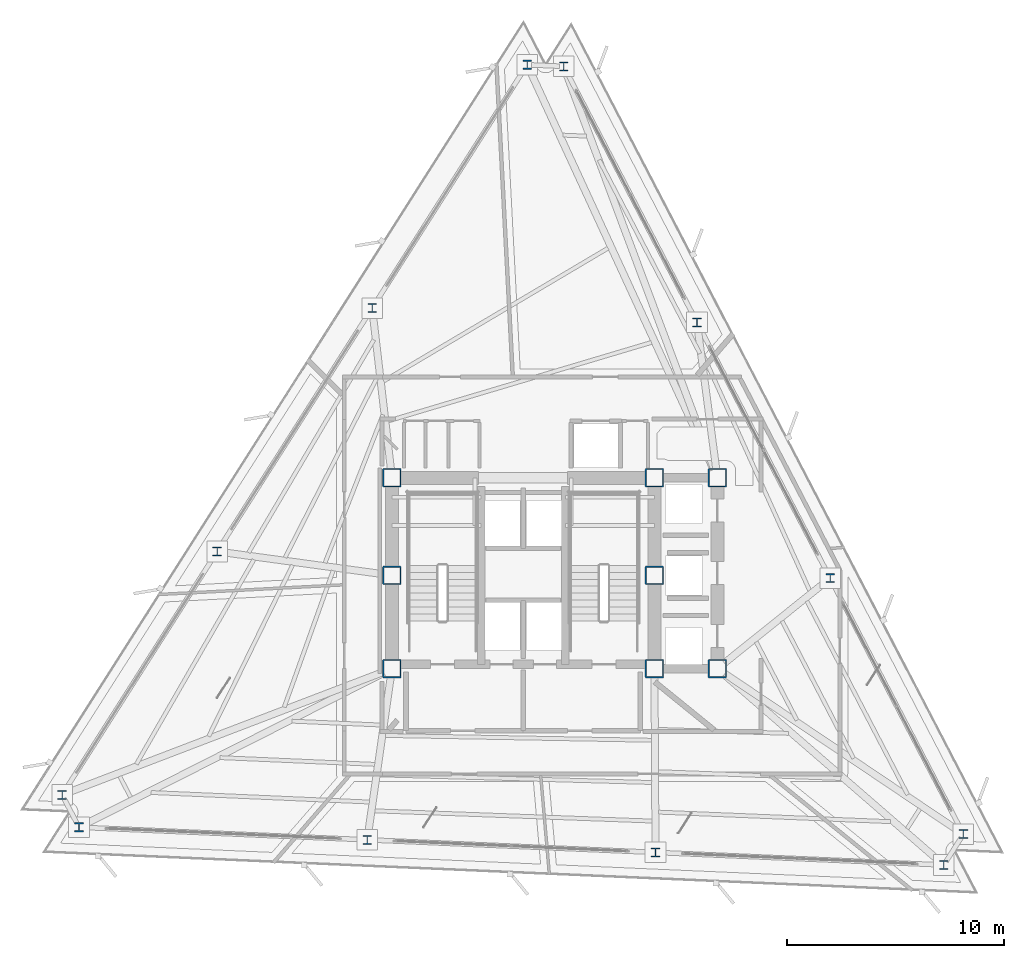
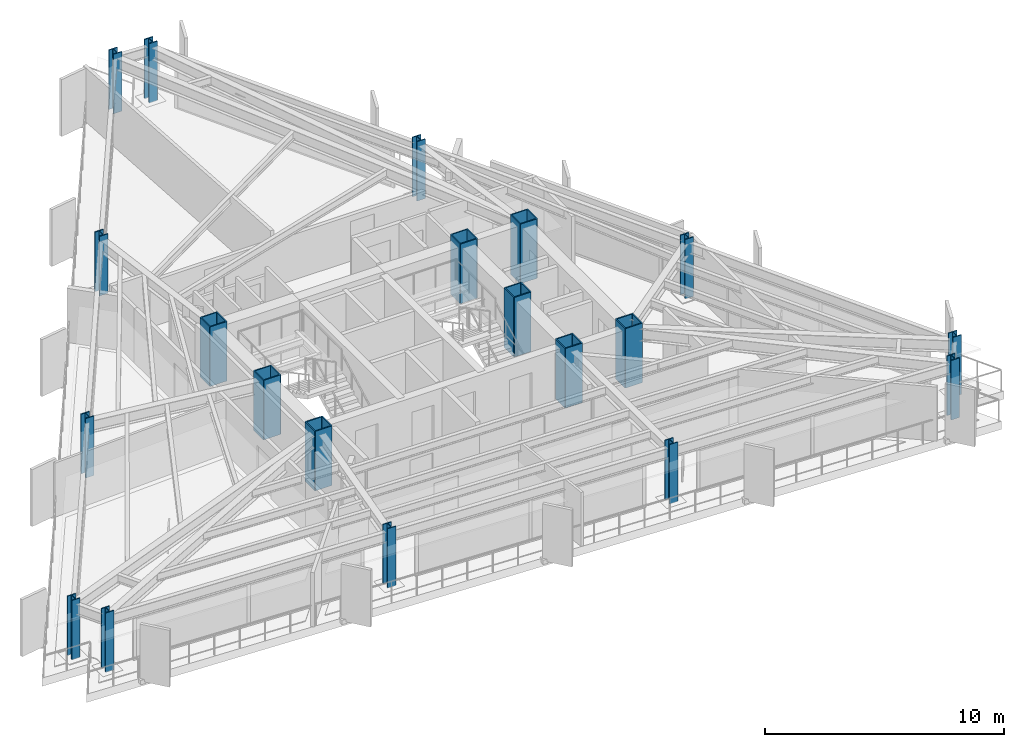
# One storey, part 1 of 12: 20 columns.
"""IFC4 building model written with IfcOpenShell, lengths in metres."""

from ifc_helpers import new_model, si_unit, direction, frame, origin, origin_2d, place, context, subcontext, project, spatial, hollow_rectangle, i_section, extrude, material, material_profile, profile_set, type_object, element, save


model = new_model("IFC4")

# Units and contexts
model_context = context("Model", 3, precision=1e-05, world=origin(), true_north=direction((0.0, 1.0)))
body_context = subcontext(model_context, "Body", "Model", "MODEL_VIEW")
ifc_project = project(units=[si_unit("LENGTHUNIT", "METRE"), si_unit("AREAUNIT", "SQUARE_METRE"), si_unit("VOLUMEUNIT", "CUBIC_METRE"), si_unit("PLANEANGLEUNIT", "RADIAN"), si_unit("MASSUNIT", "GRAM", prefix="KILO")], contexts=[model_context])

# Site, building, storey
site_placement = place(None, origin())
site = spatial("IfcSite", under=ifc_project, at=site_placement, CompositionType="ELEMENT")
building_placement = place(site_placement, origin())
building = spatial("IfcBuilding", under=site, at=building_placement, Name="Rocaltana Carrier Exchange", CompositionType="ELEMENT")
storey_placement = place(building_placement, frame((0.0, 0.0, 125.919921875)))
storey = spatial("IfcBuildingStorey", under=building, at=storey_placement, Name="L39", CompositionType="ELEMENT", Elevation=125.919921875)

# Columns
ifc_material_1 = material(Name="Steel S460", Category="steel")
ifc_material_profile_1 = material_profile(ifc_material_1, hollow_rectangle(XDim=0.85009765625, YDim=0.85009765625, WallThickness=0.054931640625, InnerFilletRadius=0.02001953125, OuterFilletRadius=0.0400390625, at=origin_2d()), Name="BOX850X850X55")
ifc_profile_set_1 = profile_set([ifc_material_profile_1], Name="Steel S460")
column_type_1 = type_object("IfcColumnType", Name="Core Mega-Column BOX850", PredefinedType="COLUMN", material=ifc_profile_set_1)
for number, where, z_axis, x_axis, name in (
    (1, (-6.050048828125, 4.5, 0.0), (0.0, 0.0, 1.0), (1.0, 0.0, 0.0), "L39 Core Mega-Column MC1"),
    (2, (6.050048828125, 4.5, 0.0), (0.0, 0.0, 1.0), (1.0, 0.0, 0.0), "L39 Core Mega-Column MC2"),
    (3, (-6.050048828125, 0.0, 0.0), (0.0, 0.0, 1.0), (1.0, 0.0, 0.0), "L39 Core Mega-Column MC3"),
    (4, (6.050048828125, 0.0, 0.0), (0.0, 0.0, 1.0), (1.0, 0.0, 0.0), "L39 Core Mega-Column MC4"),
    (5, (-6.050048828125, -4.300048828125, 0.0), (0.0, 0.0, 1.0), (1.0, 0.0, 0.0), "L39 Core Mega-Column MC5"),
    (6, (6.050048828125, -4.300048828125, 0.0), (0.0, 0.0, 1.0), (1.0, 0.0, 0.0), "L39 Core Mega-Column MC6"),
    (7, (8.949951171875, 4.5, 0.0), (0.0, 0.0, 1.0), (1.0, 0.0, 0.0), "L39 East Core Column EC1"),
    (8, (8.949951171875, -4.300048828125, 0.0), (0.0, 0.0, 1.0), (1.0, 0.0, 0.0), "L39 East Core Column EC2"),
):
    element("IfcColumn", number, at=place(storey_placement, frame(where, z_axis=z_axis, x_axis=x_axis)), inside=storey, type_object=column_type_1, Name=name, PredefinedType="COLUMN", context=body_context, shape_type="SweptSolid", body=[
        extrude(hollow_rectangle(XDim=0.85009765625, YDim=0.85009765625, WallThickness=0.054931640625, InnerFilletRadius=0.02001953125, OuterFilletRadius=0.0400390625, at=origin_2d()), origin(), (0.0, 0.0, 1.0), 3.0400390625),
    ])
ifc_material_2 = material(Name="Steel S355", Category="steel")
ifc_material_profile_2 = material_profile(ifc_material_2, i_section(OverallWidth=0.406005859375, OverallDepth=0.416015625, WebThickness=0.02978515625, FlangeThickness=0.048095703125, FilletRadius=0.02001953125, at=origin_2d()), Name="W14X257")
ifc_profile_set_2 = profile_set([ifc_material_profile_2], Name="Steel S355")
column_type_2 = type_object("IfcColumnType", Name="Perimeter Column W14X257", PredefinedType="COLUMN", material=ifc_profile_set_2)
for number, where, z_axis, x_axis, name in (
    (9, (20.29150390625, -11.92822265625, 0.0), (0.0, 0.0, 1.0), (1.0, 0.0, 0.0), "L39 Perimeter Column TC01"),
    (10, (14.150146484375, -0.130859375, 0.0), (0.0, 0.0, 1.0), (1.0, 0.0, 0.0), "L39 Perimeter Column TC02"),
    (11, (8.009033203125, 11.666259765625, 0.0), (0.0, 0.0, 1.0), (1.0, 0.0, 0.0), "L39 Perimeter Column TC03"),
    (12, (1.86767578125, 23.46337890625, 0.0), (0.0, 0.0, 1.0), (1.0, 0.0, 0.0), "L39 Perimeter Column TC04"),
    (13, (0.184326171875, 23.537109375, 0.0), (0.0, 0.0, 1.0), (1.0, 0.0, 0.0), "L39 Perimeter Column TC05"),
    (14, (-6.961669921875, 12.31982421875, 0.0), (0.0, 0.0, 1.0), (1.0, 0.0, 0.0), "L39 Perimeter Column TC06"),
    (15, (-14.10791015625, 1.102783203125, 0.0), (0.0, 0.0, 1.0), (1.0, 0.0, 0.0), "L39 Perimeter Column TC07"),
    (16, (-21.25390625, -10.1142578125, 0.0), (0.0, 0.0, 1.0), (1.0, 0.0, 0.0), "L39 Perimeter Column TC08"),
    (17, (-20.475830078125, -11.60888671875, 0.0), (0.0, 0.0, 1.0), (1.0, 0.0, 0.0), "L39 Perimeter Column TC09"),
    (18, (-7.1884765625, -12.18896484375, 0.0), (0.0, 0.0, 1.0), (1.0, 0.0, 0.0), "L39 Perimeter Column TC10"),
    (19, (6.098876953125, -12.76904296875, 0.0), (0.0, 0.0, 1.0), (1.0, 0.0, 0.0), "L39 Perimeter Column TC11"),
    (20, (19.38623046875, -13.349365234375, 0.0), (0.0, 0.0, 1.0), (1.0, 0.0, 0.0), "L39 Perimeter Column TC12"),
):
    element("IfcColumn", number, at=place(storey_placement, frame(where, z_axis=z_axis, x_axis=x_axis)), inside=storey, type_object=column_type_2, Name=name, PredefinedType="COLUMN", context=body_context, shape_type="SweptSolid", body=[
        extrude(i_section(OverallWidth=0.406005859375, OverallDepth=0.416015625, WebThickness=0.02978515625, FlangeThickness=0.048095703125, FilletRadius=0.02001953125, at=origin_2d()), origin(), (0.0, 0.0, 1.0), 3.0400390625),
    ])

save(model, "model.ifc")
